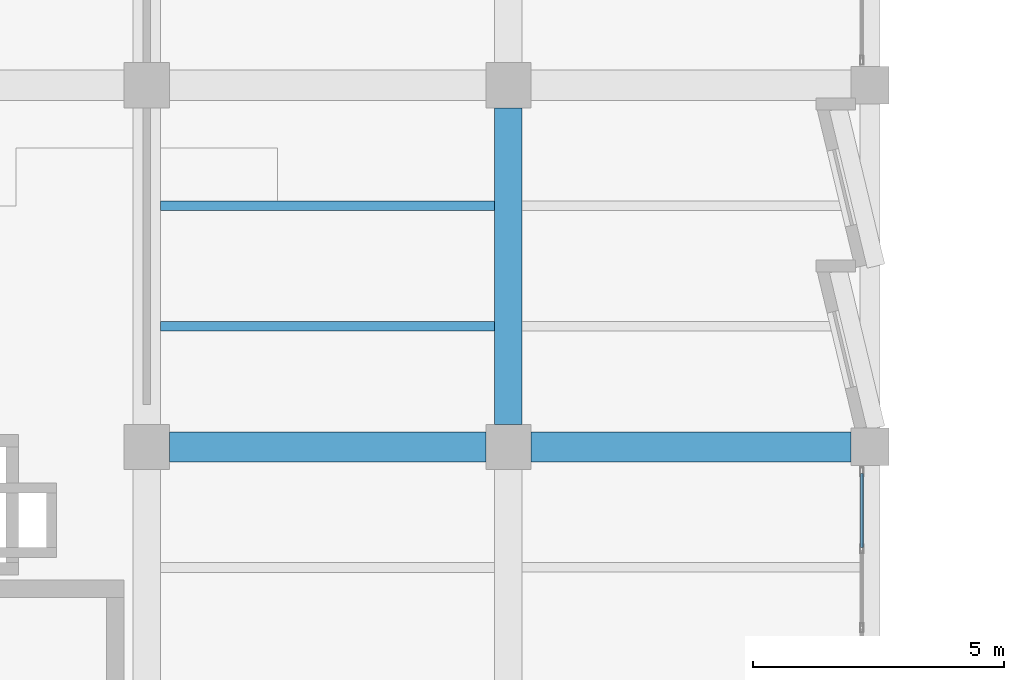
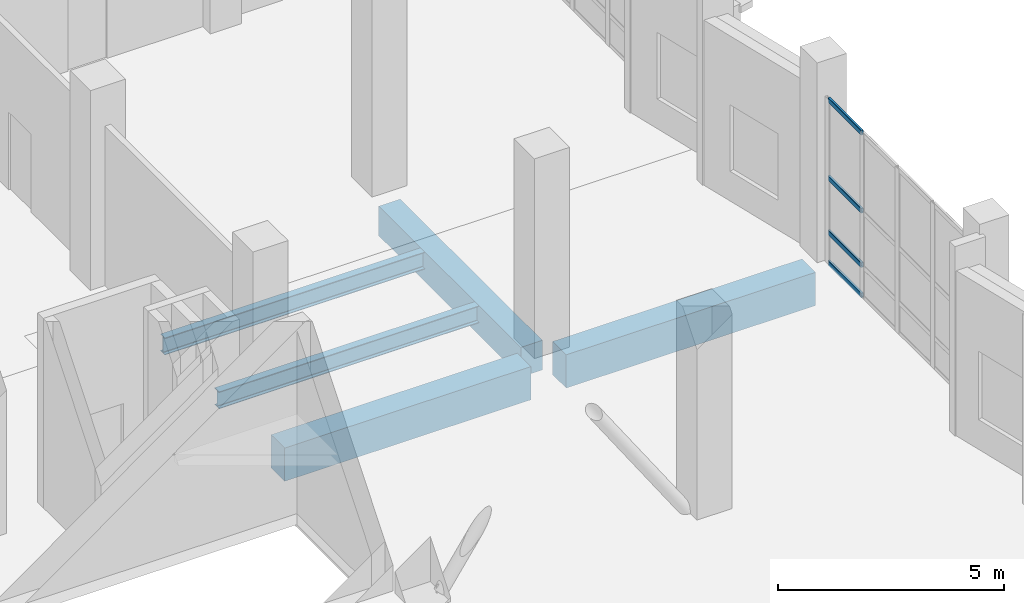
# One storey, part 19 of 137: 5 beams, 4 members, 1 element without a shape of its own.
"""IFC4 building model written with IfcOpenShell, lengths in metres."""

from ifc_helpers import new_model, si_unit, direction, frame, origin, origin_2d, place, context, subcontext, project, spatial, rectangle, hollow_rectangle, i_section, extrude, material, material_profile, profile_set, type_object, element, aggregate, save


model = new_model("IFC4")

# Units and contexts
model_context = context("Model", 3, precision=1e-05, world=origin(), true_north=direction((0.0, 1.0)))
body_context = subcontext(model_context, "Body", "Model", "MODEL_VIEW")
ifc_project = project(units=[si_unit("LENGTHUNIT", "METRE"), si_unit("AREAUNIT", "SQUARE_METRE"), si_unit("VOLUMEUNIT", "CUBIC_METRE"), si_unit("PLANEANGLEUNIT", "RADIAN"), si_unit("MASSUNIT", "GRAM", prefix="KILO")], contexts=[model_context])

# Site, building, storey
site_placement = place(None, origin())
site = spatial("IfcSite", under=ifc_project, at=site_placement, CompositionType="ELEMENT")
building_placement = place(site_placement, origin())
building = spatial("IfcBuilding", under=site, at=building_placement, Name="Kalmorath City Hall", CompositionType="ELEMENT")
storey_placement = place(building_placement, origin())
storey = spatial("IfcBuildingStorey", under=building, at=storey_placement, Name="L00", CompositionType="ELEMENT", Elevation=0.0)

# Beams
ifc_material_1 = material(Name="Concrete C40/50", Category="concrete")
ifc_material_profile_1 = material_profile(ifc_material_1, rectangle(XDim=0.550048828125, YDim=0.800048828125, at=origin_2d()), Name="RC-BM-550X800")
ifc_profile_set_1 = profile_set([ifc_material_profile_1], Name="Concrete C40/50")
beam_type_1 = type_object("IfcBeamType", Name="Concrete floor girder 550x800", PredefinedType="BEAM", material=ifc_profile_set_1)
beam_1_placement = place(storey_placement, frame((21.60009765625, 58.050048828125, -0.7041015625), z_axis=(0.0, 1.0, 0.0), x_axis=(-1.0, 0.0, 0.0)))
element("IfcBeam", 1, at=beam_1_placement, inside=storey, type_object=beam_type_1, Name="L00 girder CB2 Y4/9-10", PredefinedType="BEAM", context=body_context, shape_type="SweptSolid", body=[
    extrude(rectangle(XDim=0.550048828125, YDim=0.800048828125, at=origin_2d()), origin(), (0.0, 0.0, 1.0), 6.300048828125),
])
ifc_material_2 = material(Name="Concrete C40/50", Category="concrete")
ifc_material_profile_2 = material_profile(ifc_material_2, rectangle(XDim=0.60009765625, YDim=0.89990234375, at=origin_2d()), Name="RC-BM-600X900")
ifc_profile_set_2 = profile_set([ifc_material_profile_2], Name="Concrete C40/50")
beam_type_2 = type_object("IfcBeamType", Name="Concrete floor girder 600x900", PredefinedType="BEAM", material=ifc_profile_set_2)
beam_2_placement = place(storey_placement, frame((14.85009765625, 57.60009765625, -0.75390625), z_axis=(1.0, 0.0, 0.0), x_axis=(0.0, 1.0, 0.0)))
element("IfcBeam", 2, at=beam_2_placement, inside=storey, type_object=beam_type_2, Name="L00 girder CB1 X3-4/9", PredefinedType="BEAM", context=body_context, shape_type="SweptSolid", body=[
    extrude(rectangle(XDim=0.60009765625, YDim=0.89990234375, at=origin_2d()), origin(), (0.0, 0.0, 1.0), 6.2998046875),
])
beam_3_placement = place(storey_placement, frame((22.050048828125, 57.60009765625, -0.75390625), z_axis=(1.0, 0.0, 0.0), x_axis=(0.0, 1.0, 0.0)))
element("IfcBeam", 3, at=beam_3_placement, inside=storey, type_object=beam_type_2, Name="L00 girder CB1 X4-5/9", PredefinedType="BEAM", context=body_context, shape_type="SweptSolid", body=[
    extrude(rectangle(XDim=0.60009765625, YDim=0.89990234375, at=origin_2d()), origin(), (0.0, 0.0, 1.0), 6.375),
])

# Curtain wall, members
ifc_material_3 = material(Name="Anodised aluminium and laminated glass", Category="aluminium")
curtain_wall_type = type_object("IfcCurtainWallType", Name="Unitised hurricane curtain wall 6270x4461 M1600", PredefinedType="NOTDEFINED", material=ifc_material_3)
curtain_wall_placement = place(storey_placement, origin())
curtain_wall = element("IfcCurtainWall", 4, at=curtain_wall_placement, inside=storey, type_object=curtain_wall_type, Name="L00 curtain wall CW-63X45M16 #57", PredefinedType="NOTDEFINED")
ifc_material_4 = material(Name="Anodised aluminium framing", Category="aluminium")
ifc_material_profile_3 = material_profile(ifc_material_4, hollow_rectangle(XDim=0.06005859375, YDim=0.1298828125, WallThickness=0.00341796875, InnerFilletRadius=0.00341796875, OuterFilletRadius=0.007080078125, at=origin_2d()), Name="ALU-TRN-130X60X3.5")
ifc_profile_set_3 = profile_set([ifc_material_profile_3], Name="Anodised aluminium framing")
member_type = type_object("IfcMemberType", Name="Curtain-wall courtyard transom 130x60", PredefinedType="USERDEFINED", material=ifc_profile_set_3)
member_1_placement = place(storey_placement, frame((28.639892578125, 57.070068359375, 0.030029296875), z_axis=(0.0, -1.0, 0.0), x_axis=(1.0, 0.0, 0.0)))
member_1 = element("IfcMember", 5, at=member_1_placement, type_object=member_type, Name="CW-63X45M16 transom 1.1", ObjectType="TRANSOM", PredefinedType="USERDEFINED", context=body_context, shape_type="SweptSolid", body=[
    extrude(hollow_rectangle(XDim=0.06005859375, YDim=0.1298828125, WallThickness=0.00341796875, InnerFilletRadius=0.00341796875, OuterFilletRadius=0.007080078125, at=origin_2d()), origin(), (0.0, 0.0, 1.0), 1.469970703125),
])
member_2_placement = place(storey_placement, frame((28.639892578125, 57.070068359375, 0.85009765625), z_axis=(0.0, -1.0, 0.0), x_axis=(1.0, 0.0, 0.0)))
member_2 = element("IfcMember", 6, at=member_2_placement, type_object=member_type, Name="CW-63X45M16 transom 1.2", ObjectType="TRANSOM", PredefinedType="USERDEFINED", context=body_context, shape_type="SweptSolid", body=[
    extrude(hollow_rectangle(XDim=0.06005859375, YDim=0.1298828125, WallThickness=0.00341796875, InnerFilletRadius=0.00341796875, OuterFilletRadius=0.007080078125, at=origin_2d()), origin(), (0.0, 0.0, 1.0), 1.469970703125),
])
member_3_placement = place(storey_placement, frame((28.639892578125, 57.070068359375, 2.320068359375), z_axis=(0.0, -1.0, 0.0), x_axis=(1.0, 0.0, 0.0)))
member_3 = element("IfcMember", 7, at=member_3_placement, type_object=member_type, Name="CW-63X45M16 transom 1.3", ObjectType="TRANSOM", PredefinedType="USERDEFINED", context=body_context, shape_type="SweptSolid", body=[
    extrude(hollow_rectangle(XDim=0.06005859375, YDim=0.1298828125, WallThickness=0.00341796875, InnerFilletRadius=0.00341796875, OuterFilletRadius=0.007080078125, at=origin_2d()), origin(), (0.0, 0.0, 1.0), 1.469970703125),
])
member_4_placement = place(storey_placement, frame((28.639892578125, 57.070068359375, 4.430908203125), z_axis=(0.0, -1.0, 0.0), x_axis=(1.0, 0.0, 0.0)))
member_4 = element("IfcMember", 8, at=member_4_placement, type_object=member_type, Name="CW-63X45M16 transom 1.4", ObjectType="TRANSOM", PredefinedType="USERDEFINED", context=body_context, shape_type="SweptSolid", body=[
    extrude(hollow_rectangle(XDim=0.06005859375, YDim=0.1298828125, WallThickness=0.00341796875, InnerFilletRadius=0.00341796875, OuterFilletRadius=0.007080078125, at=origin_2d()), origin(), (0.0, 0.0, 1.0), 1.469970703125),
])
aggregate(curtain_wall, [member_1, member_2, member_3, member_4])

# Beams
ifc_material_5 = material(Name="Steel ASTM A992 Grade 50", Category="steel")
ifc_material_profile_4 = material_profile(ifc_material_5, i_section(OverallWidth=0.19091796875, OverallDepth=0.4599609375, WebThickness=0.010009765625, FlangeThickness=0.01611328125, FilletRadius=0.013916015625, at=origin_2d()), Name="W18X55")
ifc_profile_set_4 = profile_set([ifc_material_profile_4], Name="Steel ASTM A992 Grade 50")
beam_type_3 = type_object("IfcBeamType", Name="Steel composite joist W18X55", PredefinedType="JOIST", material=ifc_profile_set_4)
for number, where, z_axis, x_axis, name in (
    (9, (14.675048828125, 60.0, -0.533935546875), (1.0, 0.0, 0.0), (0.0, 1.0, 0.0), "L00 joist SJ2 3.9.1"),
    (10, (14.675048828125, 62.39990234375, -0.533935546875), (1.0, 0.0, 0.0), (0.0, 1.0, 0.0), "L00 joist SJ2 3.9.2"),
):
    element("IfcBeam", number, at=place(storey_placement, frame(where, z_axis=z_axis, x_axis=x_axis)), inside=storey, type_object=beam_type_3, Name=name, PredefinedType="JOIST", context=body_context, shape_type="SweptSolid", body=[
        extrude(i_section(OverallWidth=0.19091796875, OverallDepth=0.4599609375, WebThickness=0.010009765625, FlangeThickness=0.01611328125, FilletRadius=0.013916015625, at=origin_2d()), origin(), (0.0, 0.0, 1.0), 6.64990234375),
    ])

save(model, "model.ifc")
